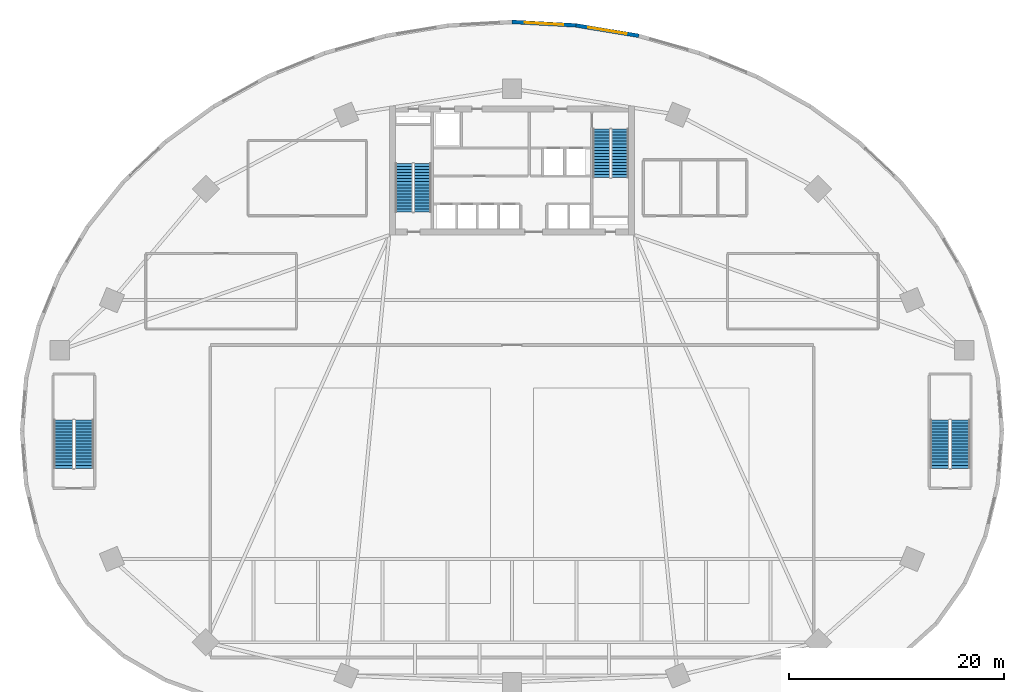
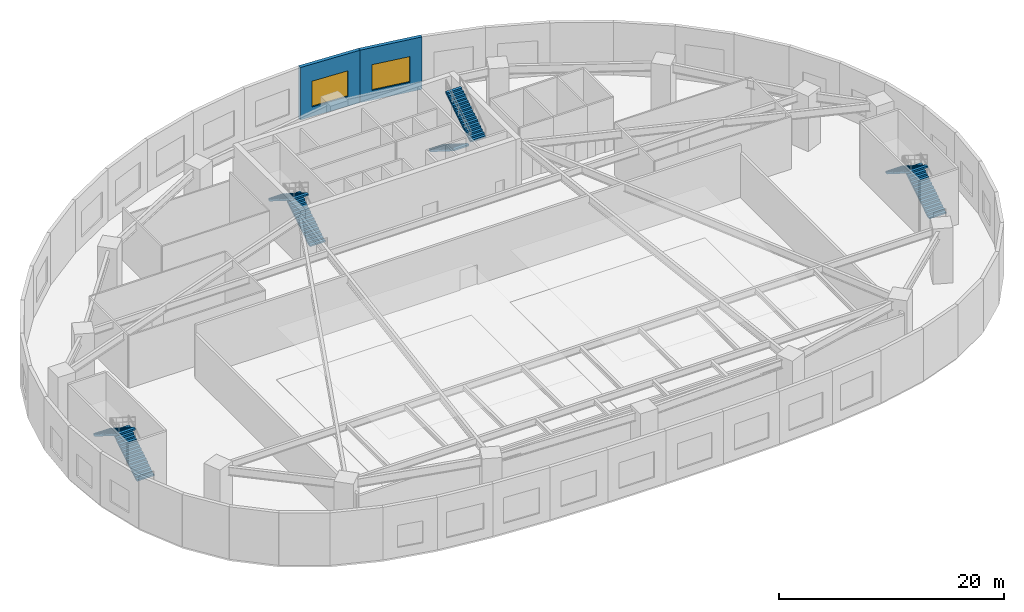
# One storey, part 6 of 10: 8 stair flights, 2 walls, 2 windows, 2 openings, 4 elements without a shape of their own.
"""IFC4 building model written with IfcOpenShell, lengths in metres."""

from ifc_helpers import new_model, si_unit, direction, frame, frame_2d, origin, place, context, subcontext, project, spatial, polyline, rectangle, outline, extrude, source, transform, mapped, material, layer, layer_set, type_object, type_shapes, element, fill, aggregate, save


model = new_model("IFC4")

# Units and contexts
model_context = context("Model", 3, precision=1e-05, world=origin(), true_north=direction((0.0, 1.0)))
body_context = subcontext(model_context, "Body", "Model", "MODEL_VIEW")
ifc_project = project(units=[si_unit("LENGTHUNIT", "METRE"), si_unit("AREAUNIT", "SQUARE_METRE"), si_unit("VOLUMEUNIT", "CUBIC_METRE"), si_unit("PLANEANGLEUNIT", "RADIAN"), si_unit("MASSUNIT", "GRAM", prefix="KILO")], contexts=[model_context])

# Site, building, storey
site_placement = place(None, origin())
site = spatial("IfcSite", under=ifc_project, at=site_placement, CompositionType="ELEMENT")
building_placement = place(site_placement, origin())
building = spatial("IfcBuilding", under=site, at=building_placement, Name="Breltana Convention Tower", CompositionType="ELEMENT")
storey_placement = place(building_placement, frame((0.0, 0.0, 6.0)))
storey = spatial("IfcBuildingStorey", under=building, at=storey_placement, Name="L01", CompositionType="ELEMENT", Elevation=6.0)

# Wall, opening, window
ifc_material_1 = material(Name="Limestone Buff Insulated Wall", Category="masonry")
ifc_layer = layer(ifc_material_1, 0.35009765625, Name="Limestone Buff Insulated Wall")
ifc_layer_set = layer_set([ifc_layer], Name="Limestone Buff Insulated Wall")
wall_type = type_object("IfcWallType", Name="WL-EXT-POD-350", PredefinedType="SOLIDWALL", material=ifc_layer_set)
shared_shape_1 = source(origin(), body_context, "Body", "SweptSolid", [
    extrude(rectangle(XDim=5.91748046875, YDim=0.35009765625, at=frame_2d((2.958740234375, 0.0))), origin(), (0.0, 0.0, 1.0), 5.699951171875),
])
wall_1_placement = place(storey_placement, frame((59.7763671875, 78.705078125, 0.0), z_axis=(0.0, 0.0, 1.0), x_axis=(-0.986480762285, 0.163877105303, 0.0)))
wall_1 = element("IfcWall", 1, at=wall_1_placement, inside=storey, type_object=wall_type, Name="L01 limestone facade wall 11", PredefinedType="SOLIDWALL", context=body_context, shape_type="MappedRepresentation", body=[
    mapped(shared_shape_1, transform((0.0, 0.0, 0.0), scale=1.0)),
])
opening_1_placement = place(wall_1_placement, frame((1.15869140625, 0.0, 1.050048828125)))
opening_1 = element("IfcOpeningElement", 2, at=opening_1_placement, cuts=wall_1, Name="Opening W-01", PredefinedType="OPENING", context=body_context, shape_type="SweptSolid", body=[
    extrude(rectangle(XDim=3.60009765625, YDim=2.800048828125, at=frame_2d((1.800048828125, 1.39990234375))), frame((0.0, 0.18505859375, 0.0), z_axis=(0.0, -1.0, 0.0), x_axis=(1.0, 0.0, 0.0)), (0.0, 0.0, 1.0), 0.3701171875),
])
ifc_material_2 = material(Name="Glass Low-E Insulated Window", Category="glass")
window_type = type_object("IfcWindowType", Name="WN-POD-3600X2800", PartitioningType="TRIPLE_PANEL_VERTICAL", PredefinedType="WINDOW", material=ifc_material_2)
shared_shape_2 = source(origin(), body_context, "Body", "SweptSolid", [
    extrude(rectangle(XDim=3.60009765625, YDim=2.800048828125, at=frame_2d((1.800048828125, 1.39990234375))), frame((0.0, 0.030029296875, 0.0), z_axis=(0.0, -1.0, 0.0), x_axis=(1.0, 0.0, 0.0)), (0.0, 0.0, 1.0), 0.06005859375),
])
type_shapes(window_type, [shared_shape_2])
window_1_placement = place(opening_1_placement, origin())
window_1 = element("IfcWindow", 3, at=window_1_placement, inside=storey, type_object=window_type, Name="L01 tripartite window 11.1", OverallHeight=2.800048828125, OverallWidth=3.60009765625, PartitioningType="TRIPLE_PANEL_VERTICAL", PredefinedType="WINDOW", context=body_context, shape_type="MappedRepresentation", body=[
    mapped(shared_shape_2, transform((0.0, 0.0, 0.0), scale=1.0)),
])
fill(opening_1, window_1)

shared_shape_3 = source(origin(), body_context, "Body", "SweptSolid", [
    extrude(rectangle(XDim=5.94775390625, YDim=0.35009765625, at=frame_2d((2.973876953125, 0.0))), origin(), (0.0, 0.0, 1.0), 5.699951171875),
])
wall_2_placement = place(storey_placement, frame((53.93896484375, 79.6748046875, 0.0), z_axis=(0.0, 0.0, 1.0), x_axis=(-0.998504240403, 0.054674325751, 0.0)))
wall_2 = element("IfcWall", 4, at=wall_2_placement, inside=storey, type_object=wall_type, Name="L01 limestone facade wall 12", PredefinedType="SOLIDWALL", context=body_context, shape_type="MappedRepresentation", body=[
    mapped(shared_shape_3, transform((0.0, 0.0, 0.0), scale=1.0)),
])
opening_2_placement = place(wall_2_placement, frame((1.173828125, 0.0, 1.050048828125)))
opening_2 = element("IfcOpeningElement", 5, at=opening_2_placement, cuts=wall_2, Name="Opening W-01", PredefinedType="OPENING", context=body_context, shape_type="SweptSolid", body=[
    extrude(rectangle(XDim=3.60009765625, YDim=2.800048828125, at=frame_2d((1.800048828125, 1.39990234375))), frame((0.0, 0.18505859375, 0.0), z_axis=(0.0, -1.0, 0.0), x_axis=(1.0, 0.0, 0.0)), (0.0, 0.0, 1.0), 0.3701171875),
])
window_2_placement = place(opening_2_placement, origin())
window_2 = element("IfcWindow", 6, at=window_2_placement, inside=storey, type_object=window_type, Name="L01 tripartite window 12.1", OverallHeight=2.800048828125, OverallWidth=3.60009765625, PartitioningType="TRIPLE_PANEL_VERTICAL", PredefinedType="WINDOW", context=body_context, shape_type="MappedRepresentation", body=[
    mapped(shared_shape_2, transform((0.0, 0.0, 0.0), scale=1.0)),
])
fill(opening_2, window_2)

# Stair, stair flights
ifc_material_3 = material(Name="Concrete C40/50", Category="concrete")
stair_type_1 = type_object("IfcStairType", Name="ST-DOG-1560-R176", PredefinedType="HALF_TURN_STAIR", material=ifc_material_3)
stair_1_placement = place(storey_placement, origin())
stair_1 = element("IfcStair", 7, at=stair_1_placement, inside=storey, type_object=stair_type_1, Name="L01 Protected Core Exit Stair ST-1", PredefinedType="HALF_TURN_STAIR")
stair_flight_type_1 = type_object("IfcStairFlightType", Name="STF-DOG-1560-N17-R176", PredefinedType="STRAIGHT", material=ifc_material_3)
stair_flight_1_placement = place(storey_placement, frame((39.68994140625, 62.360107421875, 0.0), z_axis=(0.0, 0.0, 1.0), x_axis=(0.0, 1.0, 0.0)))
stair_flight_1 = element("IfcStairFlight", 8, at=stair_flight_1_placement, type_object=stair_flight_type_1, Name="ST-1 flight 1", NumberOfRisers=17, NumberOfTreads=16, PredefinedType="STRAIGHT", RiserHeight=0.176470588, TreadLength=0.28, context=body_context, shape_type="SweptSolid", body=[
    extrude(outline(polyline([(0.0, 0.0), (0.0, 0.176513671875), (0.280029296875, 0.176513671875), (0.280029296875, 0.35302734375), (0.56005859375, 0.35302734375), (0.56005859375, 0.529296875), (0.840087890625, 0.529296875), (0.840087890625, 0.705810546875), (1.1201171875, 0.705810546875), (1.1201171875, 0.88232421875), (1.39990234375, 0.88232421875), (1.39990234375, 1.058837890625), (1.679931640625, 1.058837890625), (1.679931640625, 1.2353515625), (1.9599609375, 1.2353515625), (1.9599609375, 1.411865234375), (2.239990234375, 1.411865234375), (2.239990234375, 1.588134765625), (2.52001953125, 1.588134765625), (2.52001953125, 1.7646484375), (2.800048828125, 1.7646484375), (2.800048828125, 1.941162109375), (3.080078125, 1.941162109375), (3.080078125, 2.11767578125), (3.360107421875, 2.11767578125), (3.360107421875, 2.294189453125), (3.639892578125, 2.294189453125), (3.639892578125, 2.470703125), (3.919921875, 2.470703125), (3.919921875, 2.64697265625), (4.199951171875, 2.64697265625), (4.199951171875, 2.823486328125), (4.47998046875, 2.823486328125), (4.47998046875, 3.0), (4.47998046875, 2.646240234375), (0.28125, 0.0), (0.0, 0.0)])), frame((0.0, 0.780029296875, 0.0), z_axis=(0.0, -1.0, 0.0), x_axis=(1.0, 0.0, 0.0)), (0.0, 0.0, 1.0), 1.56005859375),
])
stair_flight_2_placement = place(storey_placement, frame((37.97998046875, 66.840087890625, 3.0), z_axis=(0.0, 0.0, 1.0), x_axis=(0.0, -1.0, 0.0)))
stair_flight_2 = element("IfcStairFlight", 9, at=stair_flight_2_placement, type_object=stair_flight_type_1, Name="ST-1 flight 2", NumberOfRisers=17, NumberOfTreads=16, PredefinedType="STRAIGHT", RiserHeight=0.176470588, TreadLength=0.28, context=body_context, shape_type="SweptSolid", body=[
    extrude(outline(polyline([(0.0, 0.0), (0.0, 0.176513671875), (0.280029296875, 0.176513671875), (0.280029296875, 0.35302734375), (0.56005859375, 0.35302734375), (0.56005859375, 0.529296875), (0.840087890625, 0.529296875), (0.840087890625, 0.705810546875), (1.1201171875, 0.705810546875), (1.1201171875, 0.88232421875), (1.39990234375, 0.88232421875), (1.39990234375, 1.058837890625), (1.679931640625, 1.058837890625), (1.679931640625, 1.2353515625), (1.9599609375, 1.2353515625), (1.9599609375, 1.411865234375), (2.239990234375, 1.411865234375), (2.239990234375, 1.588134765625), (2.52001953125, 1.588134765625), (2.52001953125, 1.7646484375), (2.800048828125, 1.7646484375), (2.800048828125, 1.941162109375), (3.080078125, 1.941162109375), (3.080078125, 2.11767578125), (3.360107421875, 2.11767578125), (3.360107421875, 2.294189453125), (3.639892578125, 2.294189453125), (3.639892578125, 2.470703125), (3.919921875, 2.470703125), (3.919921875, 2.64697265625), (4.199951171875, 2.64697265625), (4.199951171875, 2.823486328125), (4.47998046875, 2.823486328125), (4.47998046875, 3.0), (4.47998046875, 2.646240234375), (0.28125, 0.0), (0.0, 0.0)])), frame((0.0, 0.780029296875, 0.0), z_axis=(0.0, -1.0, 0.0), x_axis=(1.0, 0.0, 0.0)), (0.0, 0.0, 1.0), 1.56005859375),
])
aggregate(stair_1, [stair_flight_1, stair_flight_2])

stair_2_placement = place(storey_placement, origin())
stair_2 = element("IfcStair", 10, at=stair_2_placement, inside=storey, type_object=stair_type_1, Name="L01 Protected Core Exit Stair ST-2", PredefinedType="HALF_TURN_STAIR")
stair_flight_3_placement = place(storey_placement, frame((56.31005859375, 70.0400390625, 0.0), z_axis=(0.0, 0.0, 1.0), x_axis=(0.0, -1.0, 0.0)))
stair_flight_3 = element("IfcStairFlight", 11, at=stair_flight_3_placement, type_object=stair_flight_type_1, Name="ST-2 flight 1", NumberOfRisers=17, NumberOfTreads=16, PredefinedType="STRAIGHT", RiserHeight=0.176470588, TreadLength=0.28, context=body_context, shape_type="SweptSolid", body=[
    extrude(outline(polyline([(0.0, 0.0), (0.0, 0.176513671875), (0.280029296875, 0.176513671875), (0.280029296875, 0.35302734375), (0.56005859375, 0.35302734375), (0.56005859375, 0.529296875), (0.840087890625, 0.529296875), (0.840087890625, 0.705810546875), (1.1201171875, 0.705810546875), (1.1201171875, 0.88232421875), (1.39990234375, 0.88232421875), (1.39990234375, 1.058837890625), (1.679931640625, 1.058837890625), (1.679931640625, 1.2353515625), (1.9599609375, 1.2353515625), (1.9599609375, 1.411865234375), (2.239990234375, 1.411865234375), (2.239990234375, 1.588134765625), (2.52001953125, 1.588134765625), (2.52001953125, 1.7646484375), (2.800048828125, 1.7646484375), (2.800048828125, 1.941162109375), (3.080078125, 1.941162109375), (3.080078125, 2.11767578125), (3.360107421875, 2.11767578125), (3.360107421875, 2.294189453125), (3.639892578125, 2.294189453125), (3.639892578125, 2.470703125), (3.919921875, 2.470703125), (3.919921875, 2.64697265625), (4.199951171875, 2.64697265625), (4.199951171875, 2.823486328125), (4.47998046875, 2.823486328125), (4.47998046875, 3.0), (4.47998046875, 2.646240234375), (0.28125, 0.0), (0.0, 0.0)])), frame((0.0, 0.780029296875, 0.0), z_axis=(0.0, -1.0, 0.0), x_axis=(1.0, 0.0, 0.0)), (0.0, 0.0, 1.0), 1.56005859375),
])
stair_flight_4_placement = place(storey_placement, frame((58.02001953125, 65.56005859375, 3.0), z_axis=(0.0, 0.0, 1.0), x_axis=(0.0, 1.0, 0.0)))
stair_flight_4 = element("IfcStairFlight", 12, at=stair_flight_4_placement, type_object=stair_flight_type_1, Name="ST-2 flight 2", NumberOfRisers=17, NumberOfTreads=16, PredefinedType="STRAIGHT", RiserHeight=0.176470588, TreadLength=0.28, context=body_context, shape_type="SweptSolid", body=[
    extrude(outline(polyline([(0.0, 0.0), (0.0, 0.176513671875), (0.280029296875, 0.176513671875), (0.280029296875, 0.35302734375), (0.56005859375, 0.35302734375), (0.56005859375, 0.529296875), (0.840087890625, 0.529296875), (0.840087890625, 0.705810546875), (1.1201171875, 0.705810546875), (1.1201171875, 0.88232421875), (1.39990234375, 0.88232421875), (1.39990234375, 1.058837890625), (1.679931640625, 1.058837890625), (1.679931640625, 1.2353515625), (1.9599609375, 1.2353515625), (1.9599609375, 1.411865234375), (2.239990234375, 1.411865234375), (2.239990234375, 1.588134765625), (2.52001953125, 1.588134765625), (2.52001953125, 1.7646484375), (2.800048828125, 1.7646484375), (2.800048828125, 1.941162109375), (3.080078125, 1.941162109375), (3.080078125, 2.11767578125), (3.360107421875, 2.11767578125), (3.360107421875, 2.294189453125), (3.639892578125, 2.294189453125), (3.639892578125, 2.470703125), (3.919921875, 2.470703125), (3.919921875, 2.64697265625), (4.199951171875, 2.64697265625), (4.199951171875, 2.823486328125), (4.47998046875, 2.823486328125), (4.47998046875, 3.0), (4.47998046875, 2.646240234375), (0.28125, 0.0), (0.0, 0.0)])), frame((0.0, 0.780029296875, 0.0), z_axis=(0.0, -1.0, 0.0), x_axis=(1.0, 0.0, 0.0)), (0.0, 0.0, 1.0), 1.56005859375),
])
aggregate(stair_2, [stair_flight_3, stair_flight_4])

stair_type_2 = type_object("IfcStairType", Name="ST-DOG-1760-R176", PredefinedType="HALF_TURN_STAIR", material=ifc_material_3)
stair_3_placement = place(storey_placement, origin())
stair_3 = element("IfcStair", 13, at=stair_3_placement, inside=storey, type_object=stair_type_2, Name="L01 Protected Podium Exit Stair ST-3", PredefinedType="HALF_TURN_STAIR")
stair_flight_type_2 = type_object("IfcStairFlightType", Name="STF-DOG-1760-N17-R176", PredefinedType="STRAIGHT", material=ifc_material_3)
stair_flight_5_placement = place(storey_placement, frame((8.2900390625, 38.56005859375, 0.0), z_axis=(0.0, 0.0, 1.0), x_axis=(0.0, 1.0, 0.0)))
stair_flight_5 = element("IfcStairFlight", 14, at=stair_flight_5_placement, type_object=stair_flight_type_2, Name="ST-3 flight 1", NumberOfRisers=17, NumberOfTreads=16, PredefinedType="STRAIGHT", RiserHeight=0.176470588, TreadLength=0.28, context=body_context, shape_type="SweptSolid", body=[
    extrude(outline(polyline([(0.0, 0.0), (0.0, 0.176513671875), (0.280029296875, 0.176513671875), (0.280029296875, 0.35302734375), (0.56005859375, 0.35302734375), (0.56005859375, 0.529296875), (0.840087890625, 0.529296875), (0.840087890625, 0.705810546875), (1.1201171875, 0.705810546875), (1.1201171875, 0.88232421875), (1.39990234375, 0.88232421875), (1.39990234375, 1.058837890625), (1.679931640625, 1.058837890625), (1.679931640625, 1.2353515625), (1.9599609375, 1.2353515625), (1.9599609375, 1.411865234375), (2.239990234375, 1.411865234375), (2.239990234375, 1.588134765625), (2.52001953125, 1.588134765625), (2.52001953125, 1.7646484375), (2.800048828125, 1.7646484375), (2.800048828125, 1.941162109375), (3.080078125, 1.941162109375), (3.080078125, 2.11767578125), (3.360107421875, 2.11767578125), (3.360107421875, 2.294189453125), (3.639892578125, 2.294189453125), (3.639892578125, 2.470703125), (3.919921875, 2.470703125), (3.919921875, 2.64697265625), (4.199951171875, 2.64697265625), (4.199951171875, 2.823486328125), (4.47998046875, 2.823486328125), (4.47998046875, 3.0), (4.47998046875, 2.646240234375), (0.28125, 0.0), (0.0, 0.0)])), frame((0.0, 0.8798828125, 0.0), z_axis=(0.0, -1.0, 0.0), x_axis=(1.0, 0.0, 0.0)), (0.0, 0.0, 1.0), 1.760009765625),
])
stair_flight_6_placement = place(storey_placement, frame((6.3798828125, 43.0400390625, 3.0), z_axis=(0.0, 0.0, 1.0), x_axis=(0.0, -1.0, 0.0)))
stair_flight_6 = element("IfcStairFlight", 15, at=stair_flight_6_placement, type_object=stair_flight_type_2, Name="ST-3 flight 2", NumberOfRisers=17, NumberOfTreads=16, PredefinedType="STRAIGHT", RiserHeight=0.176470588, TreadLength=0.28, context=body_context, shape_type="SweptSolid", body=[
    extrude(outline(polyline([(0.0, 0.0), (0.0, 0.176513671875), (0.280029296875, 0.176513671875), (0.280029296875, 0.35302734375), (0.56005859375, 0.35302734375), (0.56005859375, 0.529296875), (0.840087890625, 0.529296875), (0.840087890625, 0.705810546875), (1.1201171875, 0.705810546875), (1.1201171875, 0.88232421875), (1.39990234375, 0.88232421875), (1.39990234375, 1.058837890625), (1.679931640625, 1.058837890625), (1.679931640625, 1.2353515625), (1.9599609375, 1.2353515625), (1.9599609375, 1.411865234375), (2.239990234375, 1.411865234375), (2.239990234375, 1.588134765625), (2.52001953125, 1.588134765625), (2.52001953125, 1.7646484375), (2.800048828125, 1.7646484375), (2.800048828125, 1.941162109375), (3.080078125, 1.941162109375), (3.080078125, 2.11767578125), (3.360107421875, 2.11767578125), (3.360107421875, 2.294189453125), (3.639892578125, 2.294189453125), (3.639892578125, 2.470703125), (3.919921875, 2.470703125), (3.919921875, 2.64697265625), (4.199951171875, 2.64697265625), (4.199951171875, 2.823486328125), (4.47998046875, 2.823486328125), (4.47998046875, 3.0), (4.47998046875, 2.646240234375), (0.28125, 0.0), (0.0, 0.0)])), frame((0.0, 0.8798828125, 0.0), z_axis=(0.0, -1.0, 0.0), x_axis=(1.0, 0.0, 0.0)), (0.0, 0.0, 1.0), 1.760009765625),
])
aggregate(stair_3, [stair_flight_5, stair_flight_6])

stair_4_placement = place(storey_placement, origin())
stair_4 = element("IfcStair", 16, at=stair_4_placement, inside=storey, type_object=stair_type_2, Name="L01 Protected Podium Exit Stair ST-4", PredefinedType="HALF_TURN_STAIR")
stair_flight_7_placement = place(storey_placement, frame((89.6201171875, 38.56005859375, 0.0), z_axis=(0.0, 0.0, 1.0), x_axis=(0.0, 1.0, 0.0)))
stair_flight_7 = element("IfcStairFlight", 17, at=stair_flight_7_placement, type_object=stair_flight_type_2, Name="ST-4 flight 1", NumberOfRisers=17, NumberOfTreads=16, PredefinedType="STRAIGHT", RiserHeight=0.176470588, TreadLength=0.28, context=body_context, shape_type="SweptSolid", body=[
    extrude(outline(polyline([(0.0, 0.0), (0.0, 0.176513671875), (0.280029296875, 0.176513671875), (0.280029296875, 0.35302734375), (0.56005859375, 0.35302734375), (0.56005859375, 0.529296875), (0.840087890625, 0.529296875), (0.840087890625, 0.705810546875), (1.1201171875, 0.705810546875), (1.1201171875, 0.88232421875), (1.39990234375, 0.88232421875), (1.39990234375, 1.058837890625), (1.679931640625, 1.058837890625), (1.679931640625, 1.2353515625), (1.9599609375, 1.2353515625), (1.9599609375, 1.411865234375), (2.239990234375, 1.411865234375), (2.239990234375, 1.588134765625), (2.52001953125, 1.588134765625), (2.52001953125, 1.7646484375), (2.800048828125, 1.7646484375), (2.800048828125, 1.941162109375), (3.080078125, 1.941162109375), (3.080078125, 2.11767578125), (3.360107421875, 2.11767578125), (3.360107421875, 2.294189453125), (3.639892578125, 2.294189453125), (3.639892578125, 2.470703125), (3.919921875, 2.470703125), (3.919921875, 2.64697265625), (4.199951171875, 2.64697265625), (4.199951171875, 2.823486328125), (4.47998046875, 2.823486328125), (4.47998046875, 3.0), (4.47998046875, 2.646240234375), (0.28125, 0.0), (0.0, 0.0)])), frame((0.0, 0.8798828125, 0.0), z_axis=(0.0, -1.0, 0.0), x_axis=(1.0, 0.0, 0.0)), (0.0, 0.0, 1.0), 1.760009765625),
])
stair_flight_8_placement = place(storey_placement, frame((87.7099609375, 43.0400390625, 3.0), z_axis=(0.0, 0.0, 1.0), x_axis=(0.0, -1.0, 0.0)))
stair_flight_8 = element("IfcStairFlight", 18, at=stair_flight_8_placement, type_object=stair_flight_type_2, Name="ST-4 flight 2", NumberOfRisers=17, NumberOfTreads=16, PredefinedType="STRAIGHT", RiserHeight=0.176470588, TreadLength=0.28, context=body_context, shape_type="SweptSolid", body=[
    extrude(outline(polyline([(0.0, 0.0), (0.0, 0.176513671875), (0.280029296875, 0.176513671875), (0.280029296875, 0.35302734375), (0.56005859375, 0.35302734375), (0.56005859375, 0.529296875), (0.840087890625, 0.529296875), (0.840087890625, 0.705810546875), (1.1201171875, 0.705810546875), (1.1201171875, 0.88232421875), (1.39990234375, 0.88232421875), (1.39990234375, 1.058837890625), (1.679931640625, 1.058837890625), (1.679931640625, 1.2353515625), (1.9599609375, 1.2353515625), (1.9599609375, 1.411865234375), (2.239990234375, 1.411865234375), (2.239990234375, 1.588134765625), (2.52001953125, 1.588134765625), (2.52001953125, 1.7646484375), (2.800048828125, 1.7646484375), (2.800048828125, 1.941162109375), (3.080078125, 1.941162109375), (3.080078125, 2.11767578125), (3.360107421875, 2.11767578125), (3.360107421875, 2.294189453125), (3.639892578125, 2.294189453125), (3.639892578125, 2.470703125), (3.919921875, 2.470703125), (3.919921875, 2.64697265625), (4.199951171875, 2.64697265625), (4.199951171875, 2.823486328125), (4.47998046875, 2.823486328125), (4.47998046875, 3.0), (4.47998046875, 2.646240234375), (0.28125, 0.0), (0.0, 0.0)])), frame((0.0, 0.8798828125, 0.0), z_axis=(0.0, -1.0, 0.0), x_axis=(1.0, 0.0, 0.0)), (0.0, 0.0, 1.0), 1.760009765625),
])
aggregate(stair_4, [stair_flight_7, stair_flight_8])

save(model, "model.ifc")
